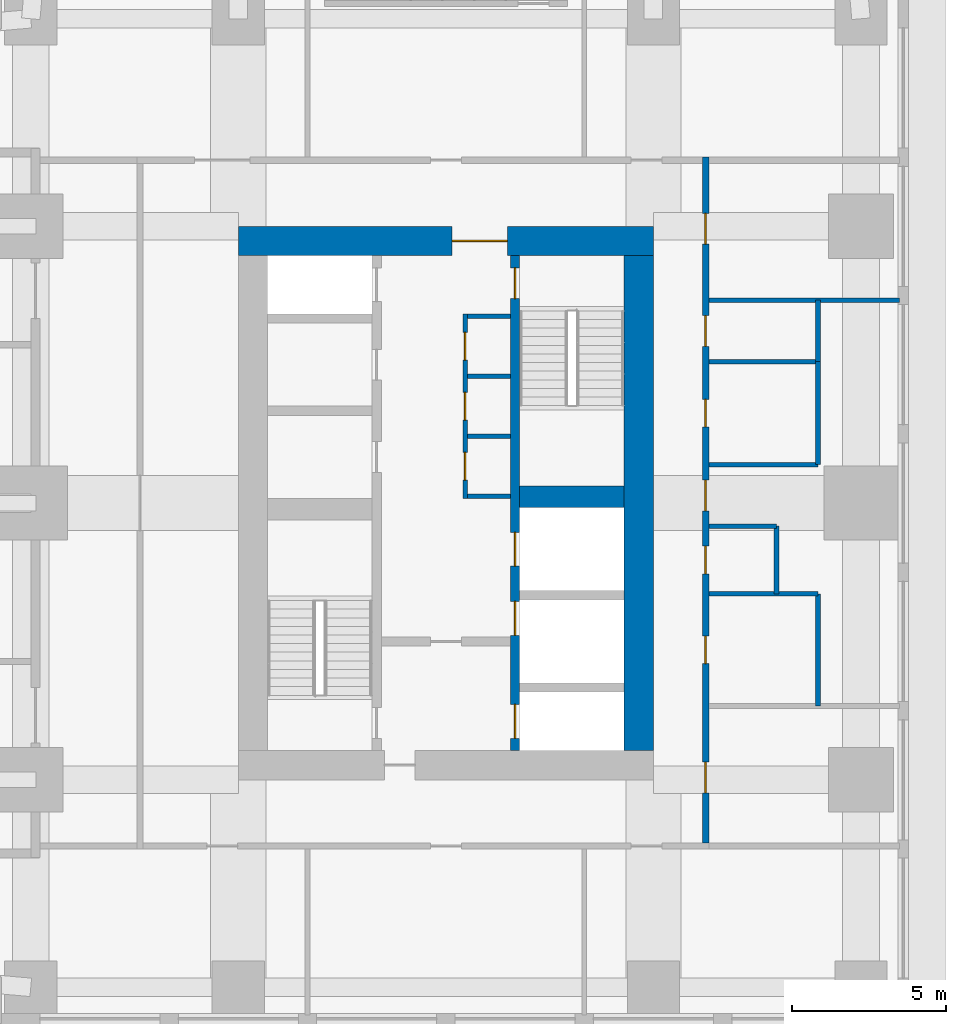
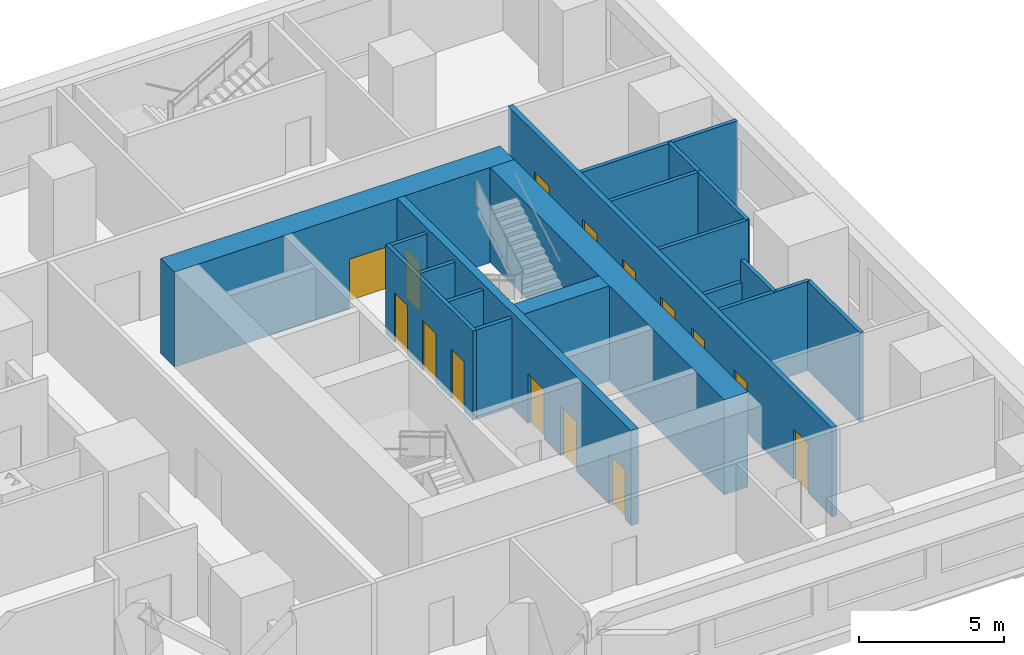
# One storey, part 11 of 16: 19 walls, 15 doors, 15 openings.
"""IFC4 building model written with IfcOpenShell, lengths in metres."""

from ifc_helpers import new_model, si_unit, direction, frame, frame_2d, origin, place, context, subcontext, project, spatial, rectangle, extrude, material, layer, layer_set, type_object, element, fill, save


model = new_model("IFC4")

# Units and contexts
model_context = context("Model", 3, precision=1e-05, world=origin(), true_north=direction((0.0, 1.0)))
body_context = subcontext(model_context, "Body", "Model", "MODEL_VIEW")
ifc_project = project(units=[si_unit("LENGTHUNIT", "METRE"), si_unit("AREAUNIT", "SQUARE_METRE"), si_unit("VOLUMEUNIT", "CUBIC_METRE"), si_unit("PLANEANGLEUNIT", "RADIAN"), si_unit("MASSUNIT", "GRAM", prefix="KILO")], contexts=[model_context])

# Site, building, storey
site_placement = place(None, origin())
site = spatial("IfcSite", under=ifc_project, at=site_placement, CompositionType="ELEMENT")
building_placement = place(site_placement, origin())
building = spatial("IfcBuilding", under=site, at=building_placement, Name="Namib Vertical Campus", CompositionType="ELEMENT")
storey_placement = place(building_placement, frame((0.0, 0.0, 125.0)))
storey = spatial("IfcBuildingStorey", under=building, at=storey_placement, Name="L29", CompositionType="ELEMENT", Elevation=125.0)

# Wall, openings, doors
ifc_material_1 = material(Name="Concrete C60/75", Category="concrete")
ifc_layer_1 = layer(ifc_material_1, 0.300048828125)
ifc_layer_set_1 = layer_set([ifc_layer_1], Name="Concrete C60/75")
wall_type_1 = type_object("IfcWallType", Name="Core inner wall 300", PredefinedType="SHEAR", material=ifc_layer_set_1)
wall_1_placement = place(storey_placement, frame((83.25, 12.199951171875, 0.0), z_axis=(0.0, 0.0, 1.0), x_axis=(0.0, 1.0, 0.0)))
wall_1 = element("IfcWall", 1, at=wall_1_placement, inside=storey, type_object=wall_type_1, Name="Core inner wall B L29 W2", PredefinedType="SHEAR", context=body_context, shape_type="SweptSolid", body=[
    extrude(rectangle(XDim=16.10009765625, YDim=0.300048828125, at=frame_2d((8.050048828125, 0.0))), origin(), (0.0, 0.0, 1.0), 4.0),
])
opening_1_placement = place(wall_1_placement, frame((14.699951171875, 0.0, 0.0)))
opening_1 = element("IfcOpeningElement", 2, at=opening_1_placement, cuts=wall_1, Name="Opening FD1", PredefinedType="OPENING", context=body_context, shape_type="SweptSolid", body=[
    extrude(rectangle(XDim=1.0, YDim=2.10009765625, at=frame_2d((0.5, 1.050048828125))), frame((0.0, 0.159912109375, 0.0), z_axis=(0.0, -1.0, 0.0), x_axis=(1.0, 0.0, 0.0)), (0.0, 0.0, 1.0), 0.320068359375),
])
opening_2_placement = place(wall_1_placement, frame((0.39990234375, 0.0, 0.0)))
opening_2 = element("IfcOpeningElement", 3, at=opening_2_placement, cuts=wall_1, Name="Opening LD1", PredefinedType="OPENING", context=body_context, shape_type="SweptSolid", body=[
    extrude(rectangle(XDim=1.10009765625, YDim=2.10009765625, at=frame_2d((0.550048828125, 1.050048828125))), frame((0.0, 0.159912109375, 0.0), z_axis=(0.0, -1.0, 0.0), x_axis=(1.0, 0.0, 0.0)), (0.0, 0.0, 1.0), 0.320068359375),
])
opening_3_placement = place(wall_1_placement, frame((3.75, 0.0, 0.0)))
opening_3 = element("IfcOpeningElement", 4, at=opening_3_placement, cuts=wall_1, Name="Opening LD1", PredefinedType="OPENING", context=body_context, shape_type="SweptSolid", body=[
    extrude(rectangle(XDim=1.10009765625, YDim=2.10009765625, at=frame_2d((0.550048828125, 1.050048828125))), frame((0.0, 0.159912109375, 0.0), z_axis=(0.0, -1.0, 0.0), x_axis=(1.0, 0.0, 0.0)), (0.0, 0.0, 1.0), 0.320068359375),
])
opening_4_placement = place(wall_1_placement, frame((6.0, 0.0, 0.0)))
opening_4 = element("IfcOpeningElement", 5, at=opening_4_placement, cuts=wall_1, Name="Opening LD1", PredefinedType="OPENING", context=body_context, shape_type="SweptSolid", body=[
    extrude(rectangle(XDim=1.10009765625, YDim=2.10009765625, at=frame_2d((0.550048828125, 1.050048828125))), frame((0.0, 0.159912109375, 0.0), z_axis=(0.0, -1.0, 0.0), x_axis=(1.0, 0.0, 0.0)), (0.0, 0.0, 1.0), 0.320068359375),
])
ifc_material_2 = material(Name="Steel fire door", Category="steel")
door_type_1 = type_object("IfcDoorType", Name="Fire door 1000x2100", OperationType="SINGLE_SWING_RIGHT", PredefinedType="DOOR", material=ifc_material_2)
door_1_placement = place(opening_1_placement, frame((1.0, 0.0, 0.0), z_axis=(0.0, 0.0, 1.0), x_axis=(-1.0, 0.0, 0.0)))
door_1 = element("IfcDoor", 6, at=door_1_placement, inside=storey, type_object=door_type_1, Name="Stair door FD1 B L29 S2", OperationType="SINGLE_SWING_LEFT", OverallHeight=2.10009765625, OverallWidth=1.0, PredefinedType="DOOR", context=body_context, shape_type="SweptSolid", body=[
    extrude(rectangle(XDim=1.0, YDim=2.10009765625, at=frame_2d((0.5, 1.050048828125))), frame((0.0, 0.02490234375, 0.0), z_axis=(0.0, -1.0, 0.0), x_axis=(1.0, 0.0, 0.0)), (0.0, 0.0, 1.0), 0.050048828125),
])
fill(opening_1, door_1)
ifc_material_3 = material(Name="Stainless steel lift door", Category="steel")
door_type_2 = type_object("IfcDoorType", Name="Lift landing door 1100x2100", OperationType="DOUBLE_DOOR_SLIDING", PredefinedType="DOOR", material=ifc_material_3)
door_2_placement = place(opening_2_placement, origin())
door_2 = element("IfcDoor", 7, at=door_2_placement, inside=storey, type_object=door_type_2, Name="Lift landing door LD1 B-FL1 L29", OperationType="DOUBLE_DOOR_SLIDING", OverallHeight=2.10009765625, OverallWidth=1.10009765625, PredefinedType="DOOR", context=body_context, shape_type="SweptSolid", body=[
    extrude(rectangle(XDim=1.10009765625, YDim=2.10009765625, at=frame_2d((0.550048828125, 1.050048828125))), frame((0.0, 0.02490234375, 0.0), z_axis=(0.0, -1.0, 0.0), x_axis=(1.0, 0.0, 0.0)), (0.0, 0.0, 1.0), 0.050048828125),
])
fill(opening_2, door_2)
door_3_placement = place(opening_3_placement, origin())
door_3 = element("IfcDoor", 8, at=door_3_placement, inside=storey, type_object=door_type_2, Name="Lift landing door LD1 B-P4 L29", OperationType="DOUBLE_DOOR_SLIDING", OverallHeight=2.10009765625, OverallWidth=1.10009765625, PredefinedType="DOOR", context=body_context, shape_type="SweptSolid", body=[
    extrude(rectangle(XDim=1.10009765625, YDim=2.10009765625, at=frame_2d((0.550048828125, 1.050048828125))), frame((0.0, 0.02490234375, 0.0), z_axis=(0.0, -1.0, 0.0), x_axis=(1.0, 0.0, 0.0)), (0.0, 0.0, 1.0), 0.050048828125),
])
fill(opening_3, door_3)
door_4_placement = place(opening_4_placement, origin())
door_4 = element("IfcDoor", 9, at=door_4_placement, inside=storey, type_object=door_type_2, Name="Lift landing door LD1 B-P5 L29", OperationType="DOUBLE_DOOR_SLIDING", OverallHeight=2.10009765625, OverallWidth=1.10009765625, PredefinedType="DOOR", context=body_context, shape_type="SweptSolid", body=[
    extrude(rectangle(XDim=1.10009765625, YDim=2.10009765625, at=frame_2d((0.550048828125, 1.050048828125))), frame((0.0, 0.02490234375, 0.0), z_axis=(0.0, -1.0, 0.0), x_axis=(1.0, 0.0, 0.0)), (0.0, 0.0, 1.0), 0.050048828125),
])
fill(opening_4, door_4)

# Walls
ifc_material_4 = material(Name="Concrete C60/75", Category="concrete")
ifc_layer_2 = layer(ifc_material_4, 0.699951171875)
ifc_layer_set_2 = layer_set([ifc_layer_2], Name="Concrete C60/75")
wall_type_2 = type_object("IfcWallType", Name="Core shear wall 700", PredefinedType="SHEAR", material=ifc_layer_set_2)
wall_2_placement = place(storey_placement, frame((83.39990234375, 20.449951171875, 0.0), z_axis=(0.0, 0.0, 1.0), x_axis=(1.0, 0.0, 0.0)))
element("IfcWall", 10, at=wall_2_placement, inside=storey, type_object=wall_type_2, Name="Core shear wall B L29 W7", PredefinedType="SHEAR", context=body_context, shape_type="SweptSolid", body=[
    extrude(rectangle(XDim=3.400146484375, YDim=0.699951171875, at=frame_2d((1.7001953125, 0.0))), origin(), (0.0, 0.0, 1.0), 4.0),
])
ifc_material_5 = material(Name="Concrete C60/75", Category="concrete")
ifc_layer_3 = layer(ifc_material_5, 0.949951171875)
ifc_layer_set_3 = layer_set([ifc_layer_3], Name="Concrete C60/75")
wall_type_3 = type_object("IfcWallType", Name="Core wall 950", PredefinedType="SHEAR", material=ifc_layer_set_3)
wall_3_placement = place(storey_placement, frame((87.27490234375, 12.199951171875, 0.0), z_axis=(0.0, 0.0, 1.0), x_axis=(0.0, 1.0, 0.0)))
element("IfcWall", 11, at=wall_3_placement, inside=storey, type_object=wall_type_3, Name="Core wall B L29 2", PredefinedType="SHEAR", context=body_context, shape_type="SweptSolid", body=[
    extrude(rectangle(XDim=16.10009765625, YDim=0.949951171875, at=frame_2d((8.050048828125, 0.0))), origin(), (0.0, 0.0, 1.0), 4.0),
])

# Wall, opening, door
wall_4_placement = place(storey_placement, frame((87.75, 28.77490234375, 0.0), z_axis=(0.0, 0.0, 1.0), x_axis=(-1.0, 0.0, 0.0)))
wall_4 = element("IfcWall", 12, at=wall_4_placement, inside=storey, type_object=wall_type_3, Name="Core wall B L29 3", PredefinedType="SHEAR", context=body_context, shape_type="SweptSolid", body=[
    extrude(rectangle(XDim=13.5, YDim=0.949951171875, at=frame_2d((6.75, 0.0))), origin(), (0.0, 0.0, 1.0), 4.0),
])
opening_5_placement = place(wall_4_placement, frame((4.75, 0.0, 0.0)))
opening_5 = element("IfcOpeningElement", 13, at=opening_5_placement, cuts=wall_4, Name="Opening FD2", PredefinedType="OPENING", context=body_context, shape_type="SweptSolid", body=[
    extrude(rectangle(XDim=1.800048828125, YDim=2.10009765625, at=frame_2d((0.89990234375, 1.050048828125))), frame((0.0, 0.48486328125, 0.0), z_axis=(0.0, -1.0, 0.0), x_axis=(1.0, 0.0, 0.0)), (0.0, 0.0, 1.0), 0.969970703125),
])
ifc_material_6 = material(Name="Steel fire door", Category="steel")
door_type_3 = type_object("IfcDoorType", Name="Fire door double 1800x2100", OperationType="DOUBLE_DOOR_SINGLE_SWING", PredefinedType="DOOR", material=ifc_material_6)
door_5_placement = place(opening_5_placement, origin())
door_5 = element("IfcDoor", 14, at=door_5_placement, inside=storey, type_object=door_type_3, Name="Lift lobby door FD2 B L29", OperationType="DOUBLE_DOOR_SINGLE_SWING", OverallHeight=2.10009765625, OverallWidth=1.800048828125, PredefinedType="DOOR", context=body_context, shape_type="SweptSolid", body=[
    extrude(rectangle(XDim=1.800048828125, YDim=2.10009765625, at=frame_2d((0.89990234375, 1.050048828125))), frame((0.0, 0.02490234375, 0.0), z_axis=(0.0, -1.0, 0.0), x_axis=(1.0, 0.0, 0.0)), (0.0, 0.0, 1.0), 0.050048828125),
])
fill(opening_5, door_5)

# Wall, openings, doors
ifc_material_7 = material(Name="Concrete masonry", Category="masonry")
ifc_layer_4 = layer(ifc_material_7, 0.199951171875)
ifc_layer_set_4 = layer_set([ifc_layer_4], Name="Corridor wall 200")
wall_type_4 = type_object("IfcWallType", Name="Corridor wall 200", PredefinedType="SOLIDWALL", material=ifc_layer_set_4)
wall_5_placement = place(storey_placement, frame((89.449951171875, 9.199951171875, 0.0), z_axis=(0.0, 0.0, 1.0), x_axis=(0.0, 1.0, 0.0)))
wall_5 = element("IfcWall", 15, at=wall_5_placement, inside=storey, type_object=wall_type_4, Name="Corridor wall B L29 CE", PredefinedType="SOLIDWALL", context=body_context, shape_type="SweptSolid", body=[
    extrude(rectangle(XDim=22.300048828125, YDim=0.199951171875, at=frame_2d((11.14990234375, 0.0))), origin(), (0.0, 0.0, 1.0), 3.75),
])
opening_6_placement = place(wall_5_placement, frame((1.625, 0.0, 0.0)))
opening_6 = element("IfcOpeningElement", 16, at=opening_6_placement, cuts=wall_5, Name="Opening CD1", PredefinedType="OPENING", context=body_context, shape_type="SweptSolid", body=[
    extrude(rectangle(XDim=1.0, YDim=2.10009765625, at=frame_2d((0.5, 1.050048828125))), frame((0.0, 0.10986328125, 0.0), z_axis=(0.0, -1.0, 0.0), x_axis=(1.0, 0.0, 0.0)), (0.0, 0.0, 1.0), 0.219970703125),
])
opening_7_placement = place(wall_5_placement, frame((5.824951171875, 0.0, 0.0)))
opening_7 = element("IfcOpeningElement", 17, at=opening_7_placement, cuts=wall_5, Name="Opening CD3", PredefinedType="OPENING", context=body_context, shape_type="SweptSolid", body=[
    extrude(rectangle(XDim=0.89990234375, YDim=2.10009765625, at=frame_2d((0.449951171875, 1.050048828125))), frame((0.0, 0.10986328125, 0.0), z_axis=(0.0, -1.0, 0.0), x_axis=(1.0, 0.0, 0.0)), (0.0, 0.0, 1.0), 0.219970703125),
])
opening_8_placement = place(wall_5_placement, frame((8.75, 0.0, 0.0)))
opening_8 = element("IfcOpeningElement", 18, at=opening_8_placement, cuts=wall_5, Name="Opening CD3", PredefinedType="OPENING", context=body_context, shape_type="SweptSolid", body=[
    extrude(rectangle(XDim=0.89990234375, YDim=2.10009765625, at=frame_2d((0.449951171875, 1.050048828125))), frame((0.0, 0.10986328125, 0.0), z_axis=(0.0, -1.0, 0.0), x_axis=(1.0, 0.0, 0.0)), (0.0, 0.0, 1.0), 0.219970703125),
])
opening_9_placement = place(wall_5_placement, frame((13.52490234375, 0.0, 0.0)))
opening_9 = element("IfcOpeningElement", 19, at=opening_9_placement, cuts=wall_5, Name="Opening CD3", PredefinedType="OPENING", context=body_context, shape_type="SweptSolid", body=[
    extrude(rectangle(XDim=0.89990234375, YDim=2.10009765625, at=frame_2d((0.449951171875, 1.050048828125))), frame((0.0, 0.10986328125, 0.0), z_axis=(0.0, -1.0, 0.0), x_axis=(1.0, 0.0, 0.0)), (0.0, 0.0, 1.0), 0.219970703125),
])
opening_10_placement = place(wall_5_placement, frame((16.14990234375, 0.0, 0.0)))
opening_10 = element("IfcOpeningElement", 20, at=opening_10_placement, cuts=wall_5, Name="Opening CD1", PredefinedType="OPENING", context=body_context, shape_type="SweptSolid", body=[
    extrude(rectangle(XDim=1.0, YDim=2.10009765625, at=frame_2d((0.5, 1.050048828125))), frame((0.0, 0.10986328125, 0.0), z_axis=(0.0, -1.0, 0.0), x_axis=(1.0, 0.0, 0.0)), (0.0, 0.0, 1.0), 0.219970703125),
])
opening_11_placement = place(wall_5_placement, frame((10.800048828125, 0.0, 0.0)))
opening_11 = element("IfcOpeningElement", 21, at=opening_11_placement, cuts=wall_5, Name="Opening CD1", PredefinedType="OPENING", context=body_context, shape_type="SweptSolid", body=[
    extrude(rectangle(XDim=1.0, YDim=2.10009765625, at=frame_2d((0.5, 1.050048828125))), frame((0.0, 0.10986328125, 0.0), z_axis=(0.0, -1.0, 0.0), x_axis=(1.0, 0.0, 0.0)), (0.0, 0.0, 1.0), 0.219970703125),
])
opening_12_placement = place(wall_5_placement, frame((19.47509765625, 0.0, 0.0)))
opening_12 = element("IfcOpeningElement", 22, at=opening_12_placement, cuts=wall_5, Name="Opening CD1", PredefinedType="OPENING", context=body_context, shape_type="SweptSolid", body=[
    extrude(rectangle(XDim=1.0, YDim=2.10009765625, at=frame_2d((0.5, 1.050048828125))), frame((0.0, 0.10986328125, 0.0), z_axis=(0.0, -1.0, 0.0), x_axis=(1.0, 0.0, 0.0)), (0.0, 0.0, 1.0), 0.219970703125),
])
ifc_material_8 = material(Name="Timber fire door leaf", Category="wood")
door_type_4 = type_object("IfcDoorType", Name="Corridor door 1000x2100 20 min", OperationType="SINGLE_SWING_LEFT", PredefinedType="DOOR", material=ifc_material_8)
door_6_placement = place(opening_6_placement, frame((1.0, 0.0, 0.0), z_axis=(0.0, 0.0, 1.0), x_axis=(-1.0, 0.0, 0.0)))
door_6 = element("IfcDoor", 23, at=door_6_placement, inside=storey, type_object=door_type_4, Name="Door CD1 B29-04", OperationType="SINGLE_SWING_RIGHT", OverallHeight=2.10009765625, OverallWidth=1.0, PredefinedType="DOOR", context=body_context, shape_type="SweptSolid", body=[
    extrude(rectangle(XDim=1.0, YDim=2.10009765625, at=frame_2d((0.5, 1.050048828125))), frame((0.0, 0.02490234375, 0.0), z_axis=(0.0, -1.0, 0.0), x_axis=(1.0, 0.0, 0.0)), (0.0, 0.0, 1.0), 0.050048828125),
])
fill(opening_6, door_6)
door_7_placement = place(opening_10_placement, frame((1.0, 0.0, 0.0), z_axis=(0.0, 0.0, 1.0), x_axis=(-1.0, 0.0, 0.0)))
door_7 = element("IfcDoor", 24, at=door_7_placement, inside=storey, type_object=door_type_4, Name="Door CD1 B29-08", OperationType="SINGLE_SWING_RIGHT", OverallHeight=2.10009765625, OverallWidth=1.0, PredefinedType="DOOR", context=body_context, shape_type="SweptSolid", body=[
    extrude(rectangle(XDim=1.0, YDim=2.10009765625, at=frame_2d((0.5, 1.050048828125))), frame((0.0, 0.02490234375, 0.0), z_axis=(0.0, -1.0, 0.0), x_axis=(1.0, 0.0, 0.0)), (0.0, 0.0, 1.0), 0.050048828125),
])
fill(opening_10, door_7)
door_8_placement = place(opening_11_placement, frame((1.0, 0.0, 0.0), z_axis=(0.0, 0.0, 1.0), x_axis=(-1.0, 0.0, 0.0)))
door_8 = element("IfcDoor", 25, at=door_8_placement, inside=storey, type_object=door_type_4, Name="Door CD1 B29-09", OperationType="SINGLE_SWING_RIGHT", OverallHeight=2.10009765625, OverallWidth=1.0, PredefinedType="DOOR", context=body_context, shape_type="SweptSolid", body=[
    extrude(rectangle(XDim=1.0, YDim=2.10009765625, at=frame_2d((0.5, 1.050048828125))), frame((0.0, 0.02490234375, 0.0), z_axis=(0.0, -1.0, 0.0), x_axis=(1.0, 0.0, 0.0)), (0.0, 0.0, 1.0), 0.050048828125),
])
fill(opening_11, door_8)
door_9_placement = place(opening_12_placement, frame((1.0, 0.0, 0.0), z_axis=(0.0, 0.0, 1.0), x_axis=(-1.0, 0.0, 0.0)))
door_9 = element("IfcDoor", 26, at=door_9_placement, inside=storey, type_object=door_type_4, Name="Door CD1 B29-10", OperationType="SINGLE_SWING_RIGHT", OverallHeight=2.10009765625, OverallWidth=1.0, PredefinedType="DOOR", context=body_context, shape_type="SweptSolid", body=[
    extrude(rectangle(XDim=1.0, YDim=2.10009765625, at=frame_2d((0.5, 1.050048828125))), frame((0.0, 0.02490234375, 0.0), z_axis=(0.0, -1.0, 0.0), x_axis=(1.0, 0.0, 0.0)), (0.0, 0.0, 1.0), 0.050048828125),
])
fill(opening_12, door_9)
ifc_material_9 = material(Name="Timber fire door leaf", Category="wood")
door_type_5 = type_object("IfcDoorType", Name="Corridor toilet door 900x2100 20 min", OperationType="SINGLE_SWING_LEFT", PredefinedType="DOOR", material=ifc_material_9)
door_10_placement = place(opening_7_placement, frame((0.89990234375, 0.0, 0.0), z_axis=(0.0, 0.0, 1.0), x_axis=(-1.0, 0.0, 0.0)))
door_10 = element("IfcDoor", 27, at=door_10_placement, inside=storey, type_object=door_type_5, Name="Door CD3 B29-05", OperationType="SINGLE_SWING_RIGHT", OverallHeight=2.10009765625, OverallWidth=0.89990234375, PredefinedType="DOOR", context=body_context, shape_type="SweptSolid", body=[
    extrude(rectangle(XDim=0.89990234375, YDim=2.10009765625, at=frame_2d((0.449951171875, 1.050048828125))), frame((0.0, 0.02490234375, 0.0), z_axis=(0.0, -1.0, 0.0), x_axis=(1.0, 0.0, 0.0)), (0.0, 0.0, 1.0), 0.050048828125),
])
fill(opening_7, door_10)
door_11_placement = place(opening_8_placement, frame((0.89990234375, 0.0, 0.0), z_axis=(0.0, 0.0, 1.0), x_axis=(-1.0, 0.0, 0.0)))
door_11 = element("IfcDoor", 28, at=door_11_placement, inside=storey, type_object=door_type_5, Name="Door CD3 B29-06", OperationType="SINGLE_SWING_RIGHT", OverallHeight=2.10009765625, OverallWidth=0.89990234375, PredefinedType="DOOR", context=body_context, shape_type="SweptSolid", body=[
    extrude(rectangle(XDim=0.89990234375, YDim=2.10009765625, at=frame_2d((0.449951171875, 1.050048828125))), frame((0.0, 0.02490234375, 0.0), z_axis=(0.0, -1.0, 0.0), x_axis=(1.0, 0.0, 0.0)), (0.0, 0.0, 1.0), 0.050048828125),
])
fill(opening_8, door_11)
door_12_placement = place(opening_9_placement, frame((0.89990234375, 0.0, 0.0), z_axis=(0.0, 0.0, 1.0), x_axis=(-1.0, 0.0, 0.0)))
door_12 = element("IfcDoor", 29, at=door_12_placement, inside=storey, type_object=door_type_5, Name="Door CD3 B29-07", OperationType="SINGLE_SWING_RIGHT", OverallHeight=2.10009765625, OverallWidth=0.89990234375, PredefinedType="DOOR", context=body_context, shape_type="SweptSolid", body=[
    extrude(rectangle(XDim=0.89990234375, YDim=2.10009765625, at=frame_2d((0.449951171875, 1.050048828125))), frame((0.0, 0.02490234375, 0.0), z_axis=(0.0, -1.0, 0.0), x_axis=(1.0, 0.0, 0.0)), (0.0, 0.0, 1.0), 0.050048828125),
])
fill(opening_9, door_12)

ifc_material_10 = material(Name="Gypsum board on steel studs", Category="steel")
ifc_layer_5 = layer(ifc_material_10, 0.14990234375)
ifc_layer_set_5 = layer_set([ifc_layer_5], Name="Gypsum board on steel studs")
wall_type_5 = type_object("IfcWallType", Name="Partition 150", PredefinedType="PARTITIONING", material=ifc_layer_set_5)
wall_6_placement = place(storey_placement, frame((81.625, 20.39990234375, 0.0), z_axis=(0.0, 0.0, 1.0), x_axis=(0.0, 1.0, 0.0)))
wall_6 = element("IfcWall", 30, at=wall_6_placement, inside=storey, type_object=wall_type_5, Name="Partition B L29 Records store and Cleaners' store and Linen store front", PredefinedType="PARTITIONING", context=body_context, shape_type="SweptSolid", body=[
    extrude(rectangle(XDim=6.0, YDim=0.14990234375, at=frame_2d((3.0, 0.0))), origin(), (0.0, 0.0, 1.0), 3.75),
])
opening_13_placement = place(wall_6_placement, frame((0.60009765625, 0.0, 0.0)))
opening_13 = element("IfcOpeningElement", 31, at=opening_13_placement, cuts=wall_6, Name="Opening D3", PredefinedType="OPENING", context=body_context, shape_type="SweptSolid", body=[
    extrude(rectangle(XDim=0.89990234375, YDim=2.10009765625, at=frame_2d((0.449951171875, 1.050048828125))), frame((0.0, 0.0849609375, 0.0), z_axis=(0.0, -1.0, 0.0), x_axis=(1.0, 0.0, 0.0)), (0.0, 0.0, 1.0), 0.169921875),
])
opening_14_placement = place(wall_6_placement, frame((2.550048828125, 0.0, 0.0)))
opening_14 = element("IfcOpeningElement", 32, at=opening_14_placement, cuts=wall_6, Name="Opening D3", PredefinedType="OPENING", context=body_context, shape_type="SweptSolid", body=[
    extrude(rectangle(XDim=0.89990234375, YDim=2.10009765625, at=frame_2d((0.449951171875, 1.050048828125))), frame((0.0, 0.0849609375, 0.0), z_axis=(0.0, -1.0, 0.0), x_axis=(1.0, 0.0, 0.0)), (0.0, 0.0, 1.0), 0.169921875),
])
opening_15_placement = place(wall_6_placement, frame((4.5, 0.0, 0.0)))
opening_15 = element("IfcOpeningElement", 33, at=opening_15_placement, cuts=wall_6, Name="Opening D3", PredefinedType="OPENING", context=body_context, shape_type="SweptSolid", body=[
    extrude(rectangle(XDim=0.89990234375, YDim=2.10009765625, at=frame_2d((0.449951171875, 1.050048828125))), frame((0.0, 0.0849609375, 0.0), z_axis=(0.0, -1.0, 0.0), x_axis=(1.0, 0.0, 0.0)), (0.0, 0.0, 1.0), 0.169921875),
])
ifc_material_11 = material(Name="Timber door leaf", Category="wood")
door_type_6 = type_object("IfcDoorType", Name="Toilet door 900x2100", OperationType="SINGLE_SWING_LEFT", PredefinedType="DOOR", material=ifc_material_11)
door_13_placement = place(opening_13_placement, frame((0.89990234375, 0.0, 0.0), z_axis=(0.0, 0.0, 1.0), x_axis=(-1.0, 0.0, 0.0)))
door_13 = element("IfcDoor", 34, at=door_13_placement, inside=storey, type_object=door_type_6, Name="Door D3 Records store B L29", OperationType="SINGLE_SWING_RIGHT", OverallHeight=2.10009765625, OverallWidth=0.89990234375, PredefinedType="DOOR", context=body_context, shape_type="SweptSolid", body=[
    extrude(rectangle(XDim=0.89990234375, YDim=2.10009765625, at=frame_2d((0.449951171875, 1.050048828125))), frame((0.0, 0.02490234375, 0.0), z_axis=(0.0, -1.0, 0.0), x_axis=(1.0, 0.0, 0.0)), (0.0, 0.0, 1.0), 0.050048828125),
])
fill(opening_13, door_13)
door_14_placement = place(opening_14_placement, frame((0.89990234375, 0.0, 0.0), z_axis=(0.0, 0.0, 1.0), x_axis=(-1.0, 0.0, 0.0)))
door_14 = element("IfcDoor", 35, at=door_14_placement, inside=storey, type_object=door_type_6, Name="Door D3 Cleaners' store B L29", OperationType="SINGLE_SWING_RIGHT", OverallHeight=2.10009765625, OverallWidth=0.89990234375, PredefinedType="DOOR", context=body_context, shape_type="SweptSolid", body=[
    extrude(rectangle(XDim=0.89990234375, YDim=2.10009765625, at=frame_2d((0.449951171875, 1.050048828125))), frame((0.0, 0.02490234375, 0.0), z_axis=(0.0, -1.0, 0.0), x_axis=(1.0, 0.0, 0.0)), (0.0, 0.0, 1.0), 0.050048828125),
])
fill(opening_14, door_14)
door_15_placement = place(opening_15_placement, frame((0.89990234375, 0.0, 0.0), z_axis=(0.0, 0.0, 1.0), x_axis=(-1.0, 0.0, 0.0)))
door_15 = element("IfcDoor", 36, at=door_15_placement, inside=storey, type_object=door_type_6, Name="Door D3 Linen store B L29", OperationType="SINGLE_SWING_RIGHT", OverallHeight=2.10009765625, OverallWidth=0.89990234375, PredefinedType="DOOR", context=body_context, shape_type="SweptSolid", body=[
    extrude(rectangle(XDim=0.89990234375, YDim=2.10009765625, at=frame_2d((0.449951171875, 1.050048828125))), frame((0.0, 0.02490234375, 0.0), z_axis=(0.0, -1.0, 0.0), x_axis=(1.0, 0.0, 0.0)), (0.0, 0.0, 1.0), 0.050048828125),
])
fill(opening_15, door_15)

# Walls
for number, where, z_axis, x_axis, name in (
    (37, (81.699951171875, 20.47509765625, 0.0), (0.0, 0.0, 1.0), (1.0, 0.0, 0.0), "Partition B L29 Records store and Cleaners' store and Linen store end 1"),
    (38, (81.699951171875, 22.425048828125, 0.0), (0.0, 0.0, 1.0), (1.0, 0.0, 0.0), "Partition B L29 Records store and Cleaners' store and Linen store division 2"),
    (39, (81.699951171875, 24.375, 0.0), (0.0, 0.0, 1.0), (1.0, 0.0, 0.0), "Partition B L29 Records store and Cleaners' store and Linen store division 3"),
    (40, (81.699951171875, 26.324951171875, 0.0), (0.0, 0.0, 1.0), (1.0, 0.0, 0.0), "Partition B L29 Records store and Cleaners' store and Linen store end 4"),
):
    element("IfcWall", number, at=place(storey_placement, frame(where, z_axis=z_axis, x_axis=x_axis)), inside=storey, type_object=wall_type_5, Name=name, PredefinedType="PARTITIONING", context=body_context, shape_type="SweptSolid", body=[
        extrude(rectangle(XDim=1.400146484375, YDim=0.14990234375, at=frame_2d((0.7001953125, 0.0))), origin(), (0.0, 0.0, 1.0), 3.75),
    ])
wall_7_placement = place(storey_placement, frame((89.550048828125, 26.85009765625, 0.0), z_axis=(0.0, 0.0, 1.0), x_axis=(1.0, 0.0, 0.0)))
element("IfcWall", 41, at=wall_7_placement, inside=storey, type_object=wall_type_5, Name="Partition B L29 PE2", PredefinedType="PARTITIONING", context=body_context, shape_type="SweptSolid", body=[
    extrude(rectangle(XDim=6.199951171875, YDim=0.14990234375, at=frame_2d((3.10009765625, 0.0))), origin(), (0.0, 0.0, 1.0), 3.75),
])
wall_8_placement = place(storey_placement, frame((89.550048828125, 17.300048828125, 0.0), z_axis=(0.0, 0.0, 1.0), x_axis=(1.0, 0.0, 0.0)))
element("IfcWall", 42, at=wall_8_placement, inside=storey, type_object=wall_type_5, Name="Partition B L29 WR1", PredefinedType="PARTITIONING", context=body_context, shape_type="SweptSolid", body=[
    extrude(rectangle(XDim=3.550048828125, YDim=0.14990234375, at=frame_2d((1.77490234375, 0.0))), origin(), (0.0, 0.0, 1.0), 3.75),
])
wall_9_placement = place(storey_placement, frame((89.550048828125, 19.5, 0.0), z_axis=(0.0, 0.0, 1.0), x_axis=(1.0, 0.0, 0.0)))
element("IfcWall", 43, at=wall_9_placement, inside=storey, type_object=wall_type_5, Name="Partition B L29 WR2", PredefinedType="PARTITIONING", context=body_context, shape_type="SweptSolid", body=[
    extrude(rectangle(XDim=2.199951171875, YDim=0.14990234375, at=frame_2d((1.10009765625, 0.0))), origin(), (0.0, 0.0, 1.0), 2.85009765625),
])
for number, where, z_axis, x_axis, name in (
    (44, (89.550048828125, 21.5, 0.0), (0.0, 0.0, 1.0), (1.0, 0.0, 0.0), "Partition B L29 WR3"),
    (45, (89.550048828125, 24.85009765625, 0.0), (0.0, 0.0, 1.0), (1.0, 0.0, 0.0), "Partition B L29 WR4"),
):
    element("IfcWall", number, at=place(storey_placement, frame(where, z_axis=z_axis, x_axis=x_axis)), inside=storey, type_object=wall_type_5, Name=name, PredefinedType="PARTITIONING", context=body_context, shape_type="SweptSolid", body=[
        extrude(rectangle(XDim=3.550048828125, YDim=0.14990234375, at=frame_2d((1.77490234375, 0.0))), origin(), (0.0, 0.0, 1.0), 3.75),
    ])
wall_10_placement = place(storey_placement, frame((93.10009765625, 13.64990234375, 0.0), z_axis=(0.0, 0.0, 1.0), x_axis=(0.0, 1.0, 0.0)))
element("IfcWall", 46, at=wall_10_placement, inside=storey, type_object=wall_type_5, Name="Partition B L29 WB1", PredefinedType="PARTITIONING", context=body_context, shape_type="SweptSolid", body=[
    extrude(rectangle(XDim=3.650146484375, YDim=0.14990234375, at=frame_2d((1.8251953125, 0.0))), origin(), (0.0, 0.0, 1.0), 3.75),
])
wall_11_placement = place(storey_placement, frame((91.75, 17.300048828125, 0.0), z_axis=(0.0, 0.0, 1.0), x_axis=(0.0, 1.0, 0.0)))
element("IfcWall", 47, at=wall_11_placement, inside=storey, type_object=wall_type_5, Name="Partition B L29 WB2", PredefinedType="PARTITIONING", context=body_context, shape_type="SweptSolid", body=[
    extrude(rectangle(XDim=2.199951171875, YDim=0.14990234375, at=frame_2d((1.10009765625, 0.0))), origin(), (0.0, 0.0, 1.0), 3.75),
])
wall_12_placement = place(storey_placement, frame((93.10009765625, 21.5, 0.0), z_axis=(0.0, 0.0, 1.0), x_axis=(0.0, 1.0, 0.0)))
element("IfcWall", 48, at=wall_12_placement, inside=storey, type_object=wall_type_5, Name="Partition B L29 WB3", PredefinedType="PARTITIONING", context=body_context, shape_type="SweptSolid", body=[
    extrude(rectangle(XDim=3.35009765625, YDim=0.14990234375, at=frame_2d((1.675048828125, 0.0))), origin(), (0.0, 0.0, 1.0), 3.75),
])
wall_13_placement = place(storey_placement, frame((93.10009765625, 24.85009765625, 0.0), z_axis=(0.0, 0.0, 1.0), x_axis=(0.0, 1.0, 0.0)))
element("IfcWall", 49, at=wall_13_placement, inside=storey, type_object=wall_type_5, Name="Partition B L29 WB4", PredefinedType="PARTITIONING", context=body_context, shape_type="SweptSolid", body=[
    extrude(rectangle(XDim=2.0, YDim=0.14990234375, at=frame_2d((1.0, 0.0))), origin(), (0.0, 0.0, 1.0), 3.75),
])

save(model, "model.ifc")
